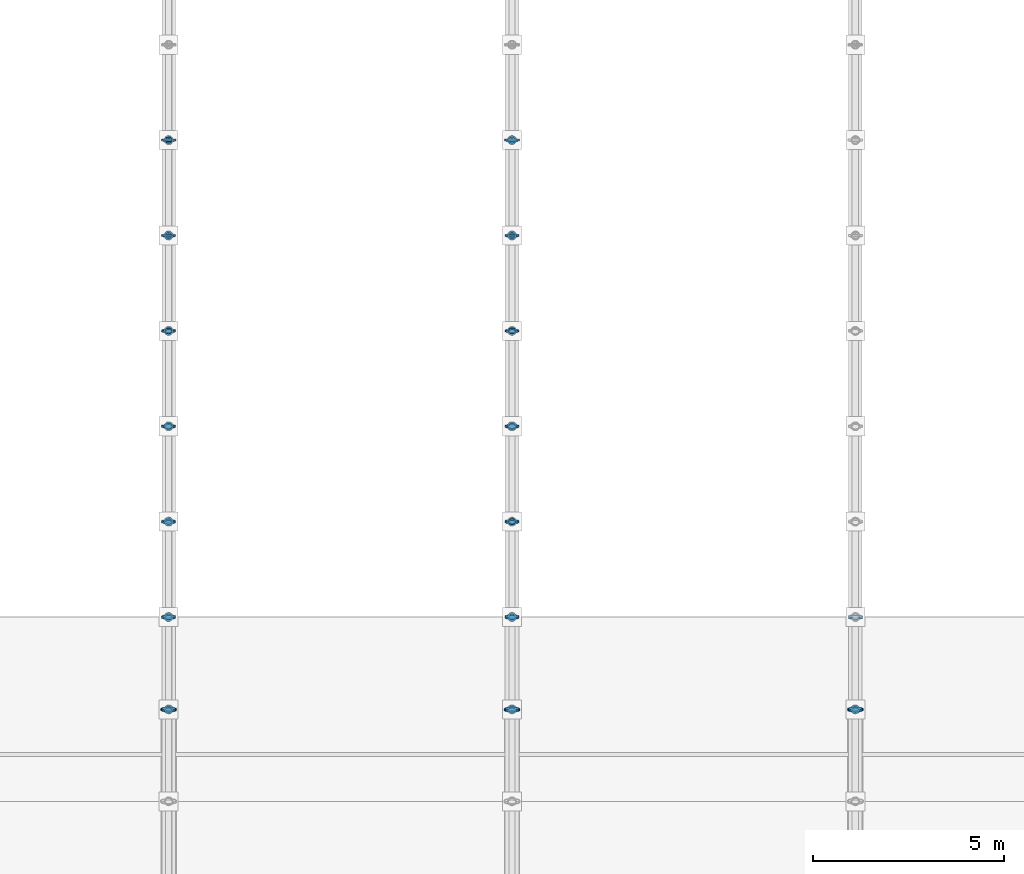
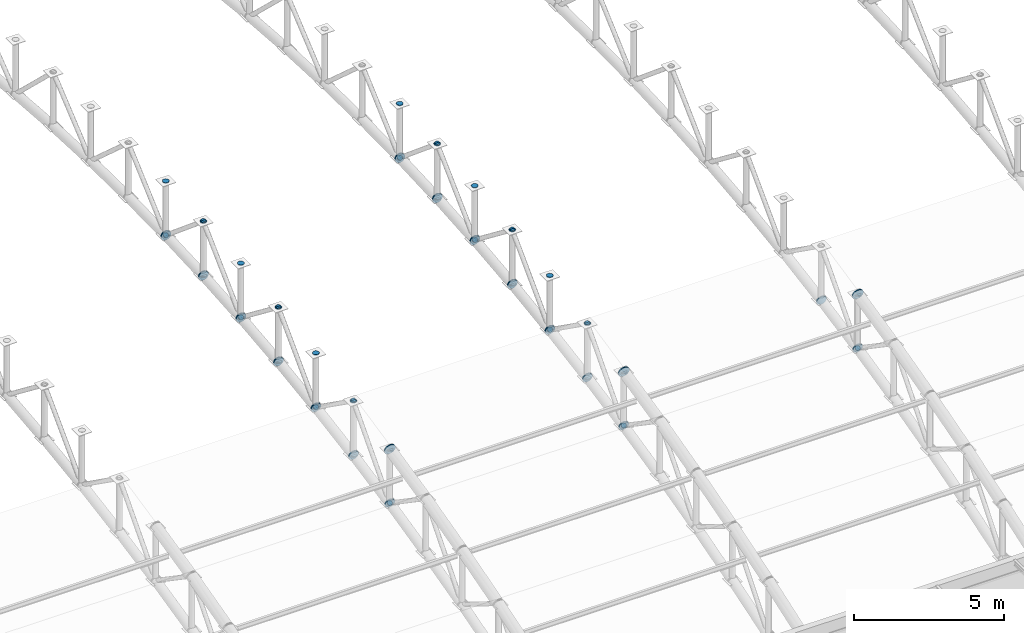
# One storey, part 149 of 195: 94 discrete accessories.
"""IFC4 building model written with IfcOpenShell, lengths in metres."""

from ifc_helpers import new_model, si_unit, direction, frame, origin, origin_2d, place, context, subcontext, project, spatial, circle, extrude, material, element, save


model = new_model("IFC4")

# Units and contexts
model_context = context("Model", 3, precision=1e-05, world=origin(), true_north=direction((0.0, 1.0)))
body_context = subcontext(model_context, "Body", "Model", "MODEL_VIEW")
ifc_project = project(units=[si_unit("LENGTHUNIT", "METRE"), si_unit("AREAUNIT", "SQUARE_METRE"), si_unit("VOLUMEUNIT", "CUBIC_METRE"), si_unit("PLANEANGLEUNIT", "RADIAN"), si_unit("MASSUNIT", "GRAM", prefix="KILO")], contexts=[model_context])

# Site, building, storey
site_placement = place(None, origin())
site = spatial("IfcSite", under=ifc_project, at=site_placement, CompositionType="ELEMENT")
building_placement = place(site_placement, origin())
building = spatial("IfcBuilding", under=site, at=building_placement, Name="Marlcrest Central Station", CompositionType="ELEMENT")
storey_placement = place(building_placement, frame((0.0, 0.0, 9.800048828125)))
storey = spatial("IfcBuildingStorey", under=building, at=storey_placement, Name="L02", CompositionType="ELEMENT", Elevation=9.800048828125)

# Discrete accessories
ifc_material = material(Name="Steel S355", Category="steel")
discrete_accessory_1_placement = place(storey_placement, frame((162.0, 48.5556640625, 5.111328125), z_axis=(0.0, 0.974329612642, 0.225126200004), x_axis=(-1.0, 0.0, 0.0)))
element("IfcDiscreteAccessory", 1, at=discrete_accessory_1_placement, inside=storey, material=ifc_material, Name="endcap-mem-AC-01-L02-01340-e", ObjectType="END_CAP_PLATE", PredefinedType="BRACKET", context=body_context, shape_type="SweptSolid", body=[
    extrude(circle(Radius=0.211181640625, at=origin_2d()), origin(), (0.0, 0.0, 1.0), 0.0400390625),
])
discrete_accessory_2_placement = place(storey_placement, frame((162.0, 48.5556640625, 2.911376953125), z_axis=(0.0, 0.974307959875, 0.225219891049), x_axis=(-1.0, 0.0, 0.0)))
element("IfcDiscreteAccessory", 2, at=discrete_accessory_2_placement, inside=storey, material=ifc_material, Name="endcap-mem-AC-02-L02-01341-e", ObjectType="END_CAP_PLATE", PredefinedType="BRACKET", context=body_context, shape_type="SweptSolid", body=[
    extrude(circle(Radius=0.185791015625, at=origin_2d()), origin(), (0.0, 0.0, 1.0), 0.0400390625),
])
discrete_accessory_3_placement = place(storey_placement, frame((162.0, 48.559326171875, 2.93115234375), z_axis=(0.0, 0.82626275624, -0.563284881432), x_axis=(-1.0, 0.0, 0.0)))
element("IfcDiscreteAccessory", 3, at=discrete_accessory_3_placement, inside=storey, material=ifc_material, Name="endcap-mem-AD-01-L02-01343-e", ObjectType="END_CAP_PLATE", PredefinedType="BRACKET", context=body_context, shape_type="SweptSolid", body=[
    extrude(circle(Radius=0.092041015625, at=origin_2d()), origin(), (0.0, 0.0, 1.0), 0.0400390625),
])
for number, where, z_axis, x_axis, name in (
    (4, (162.0, 48.5654296875, 2.9140625), (0.0, 0.980359417961, 0.197219196874), (-1.0, 0.0, 0.0), "endcap-mem-AC-02-L02-01345-s"),
    (5, (162.0, 50.9755859375, 3.39892578125), (0.0, 0.980359417961, 0.197219196874), (-1.0, 0.0, 0.0), "endcap-mem-AC-02-L02-01345-e"),
):
    element("IfcDiscreteAccessory", number, at=place(storey_placement, frame(where, z_axis=z_axis, x_axis=x_axis)), inside=storey, material=ifc_material, Name=name, ObjectType="END_CAP_PLATE", PredefinedType="BRACKET", context=body_context, shape_type="SweptSolid", body=[
        extrude(circle(Radius=0.185791015625, at=origin_2d()), origin(), (0.0, 0.0, 1.0), 0.0400390625),
    ])
for number, where, z_axis, x_axis, name in (
    (6, (162.0, 48.580078125, 2.902099609375), (0.0, 0.0, 1.0), (1.0, 0.0, 0.0), "endcap-mem-AP-01-L02-01346-s"),
    (7, (162.0, 48.580078125, 5.092041015625), (0.0, 0.0, 1.0), (1.0, 0.0, 0.0), "endcap-mem-AP-01-L02-01346-e"),
):
    element("IfcDiscreteAccessory", number, at=place(storey_placement, frame(where, z_axis=z_axis, x_axis=x_axis)), inside=storey, material=ifc_material, Name=name, ObjectType="END_CAP_PLATE", PredefinedType="BRACKET", context=body_context, shape_type="SweptSolid", body=[
        extrude(circle(Radius=0.117431640625, at=origin_2d()), origin(), (0.0, 0.0, 1.0), 0.0400390625),
    ])
for number, where, z_axis, x_axis, name in (
    (8, (162.0, 48.570068359375, 2.90576171875), (0.0, 0.669244457479, 0.743042297675), (-1.0, 0.0, 0.0), "endcap-mem-AD-01-L02-01347-s"),
    (9, (162.0, 50.983154296875, 5.585205078125), (0.0, 0.669244457479, 0.743042297675), (-1.0, 0.0, 0.0), "endcap-mem-AD-01-L02-01347-e"),
):
    element("IfcDiscreteAccessory", number, at=place(storey_placement, frame(where, z_axis=z_axis, x_axis=x_axis)), inside=storey, material=ifc_material, Name=name, ObjectType="END_CAP_PLATE", PredefinedType="BRACKET", context=body_context, shape_type="SweptSolid", body=[
        extrude(circle(Radius=0.092041015625, at=origin_2d()), origin(), (0.0, 0.0, 1.0), 0.0400390625),
    ])
for number, where, z_axis, x_axis, name in (
    (10, (162.0, 50.985107421875, 3.4013671875), (0.0, 0.98574109921, 0.168269086076), (-1.0, 0.0, 0.0), "endcap-mem-AC-02-L02-01349-s"),
    (11, (162.0, 53.475341796875, 3.826416015625), (0.0, 0.98574109921, 0.168269086076), (-1.0, 0.0, 0.0), "endcap-mem-AC-02-L02-01349-e"),
):
    element("IfcDiscreteAccessory", number, at=place(storey_placement, frame(where, z_axis=z_axis, x_axis=x_axis)), inside=storey, material=ifc_material, Name=name, ObjectType="END_CAP_PLATE", PredefinedType="BRACKET", context=body_context, shape_type="SweptSolid", body=[
        extrude(circle(Radius=0.185791015625, at=origin_2d()), origin(), (0.0, 0.0, 1.0), 0.0400390625),
    ])
for number, where, z_axis, x_axis, name in (
    (12, (162.0, 51.0, 3.388916015625), (0.0, 0.0, 1.0), (1.0, 0.0, 0.0), "endcap-mem-AP-01-L02-01350-s"),
    (13, (162.0, 51.0, 5.578857421875), (0.0, 0.0, 1.0), (1.0, 0.0, 0.0), "endcap-mem-AP-01-L02-01350-e"),
):
    element("IfcDiscreteAccessory", number, at=place(storey_placement, frame(where, z_axis=z_axis, x_axis=x_axis)), inside=storey, material=ifc_material, Name=name, ObjectType="END_CAP_PLATE", PredefinedType="BRACKET", context=body_context, shape_type="SweptSolid", body=[
        extrude(circle(Radius=0.117431640625, at=origin_2d()), origin(), (0.0, 0.0, 1.0), 0.0400390625),
    ])
for number, where, z_axis, x_axis, name in (
    (14, (162.0, 50.98779296875, 5.612548828125), (0.0, 0.815661132754, -0.57852996164), (-1.0, 0.0, 0.0), "endcap-mem-AD-01-L02-01351-s"),
    (15, (162.0, 53.4794921875, 3.844970703125), (0.0, 0.815661132754, -0.57852996164), (-1.0, 0.0, 0.0), "endcap-mem-AD-01-L02-01351-e"),
):
    element("IfcDiscreteAccessory", number, at=place(storey_placement, frame(where, z_axis=z_axis, x_axis=x_axis)), inside=storey, material=ifc_material, Name=name, ObjectType="END_CAP_PLATE", PredefinedType="BRACKET", context=body_context, shape_type="SweptSolid", body=[
        extrude(circle(Radius=0.092041015625, at=origin_2d()), origin(), (0.0, 0.0, 1.0), 0.0400390625),
    ])
for number, where, z_axis, x_axis, name in (
    (16, (162.0, 53.485107421875, 3.82861328125), (0.0, 0.990402740232, 0.138211476152), (-1.0, 0.0, 0.0), "endcap-mem-AC-02-L02-01353-s"),
    (17, (162.0, 55.975341796875, 4.176025390625), (0.0, 0.990402740232, 0.138211476152), (-1.0, 0.0, 0.0), "endcap-mem-AC-02-L02-01353-e"),
):
    element("IfcDiscreteAccessory", number, at=place(storey_placement, frame(where, z_axis=z_axis, x_axis=x_axis)), inside=storey, material=ifc_material, Name=name, ObjectType="END_CAP_PLATE", PredefinedType="BRACKET", context=body_context, shape_type="SweptSolid", body=[
        extrude(circle(Radius=0.185791015625, at=origin_2d()), origin(), (0.0, 0.0, 1.0), 0.0400390625),
    ])
for number, where, z_axis, x_axis, name in (
    (18, (162.0, 53.5, 3.815673828125), (0.0, 0.0, 1.0), (1.0, 0.0, 0.0), "endcap-mem-AP-01-L02-01354-s"),
    (19, (162.0, 53.5, 6.005615234375), (0.0, 0.0, 1.0), (1.0, 0.0, 0.0), "endcap-mem-AP-01-L02-01354-e"),
):
    element("IfcDiscreteAccessory", number, at=place(storey_placement, frame(where, z_axis=z_axis, x_axis=x_axis)), inside=storey, material=ifc_material, Name=name, ObjectType="END_CAP_PLATE", PredefinedType="BRACKET", context=body_context, shape_type="SweptSolid", body=[
        extrude(circle(Radius=0.117431640625, at=origin_2d()), origin(), (0.0, 0.0, 1.0), 0.0400390625),
    ])
for number, where, z_axis, x_axis, name in (
    (20, (162.0, 53.489501953125, 3.81982421875), (0.0, 0.70023547796, 0.713911952139), (-1.0, 0.0, 0.0), "endcap-mem-AD-01-L02-01355-s"),
    (21, (162.0, 55.982421875, 6.361572265625), (0.0, 0.70023547796, 0.713911952139), (-1.0, 0.0, 0.0), "endcap-mem-AD-01-L02-01355-e"),
):
    element("IfcDiscreteAccessory", number, at=place(storey_placement, frame(where, z_axis=z_axis, x_axis=x_axis)), inside=storey, material=ifc_material, Name=name, ObjectType="END_CAP_PLATE", PredefinedType="BRACKET", context=body_context, shape_type="SweptSolid", body=[
        extrude(circle(Radius=0.092041015625, at=origin_2d()), origin(), (0.0, 0.0, 1.0), 0.0400390625),
    ])
for number, where, z_axis, x_axis, name in (
    (22, (162.0, 55.985107421875, 4.177734375), (0.0, 0.994155341034, 0.107959056565), (-1.0, 0.0, 0.0), "endcap-mem-AC-02-L02-01357-s"),
    (23, (162.0, 58.47509765625, 4.4482421875), (0.0, 0.994155341034, 0.107959056565), (-1.0, 0.0, 0.0), "endcap-mem-AC-02-L02-01357-e"),
):
    element("IfcDiscreteAccessory", number, at=place(storey_placement, frame(where, z_axis=z_axis, x_axis=x_axis)), inside=storey, material=ifc_material, Name=name, ObjectType="END_CAP_PLATE", PredefinedType="BRACKET", context=body_context, shape_type="SweptSolid", body=[
        extrude(circle(Radius=0.185791015625, at=origin_2d()), origin(), (0.0, 0.0, 1.0), 0.0400390625),
    ])
for number, where, z_axis, x_axis, name in (
    (24, (162.0, 56.0, 4.16455078125), (0.0, 0.0, 1.0), (1.0, 0.0, 0.0), "endcap-mem-AP-01-L02-01358-s"),
    (25, (162.0, 56.0, 6.3544921875), (0.0, 0.0, 1.0), (1.0, 0.0, 0.0), "endcap-mem-AP-01-L02-01358-e"),
):
    element("IfcDiscreteAccessory", number, at=place(storey_placement, frame(where, z_axis=z_axis, x_axis=x_axis)), inside=storey, material=ifc_material, Name=name, ObjectType="END_CAP_PLATE", PredefinedType="BRACKET", context=body_context, shape_type="SweptSolid", body=[
        extrude(circle(Radius=0.117431640625, at=origin_2d()), origin(), (0.0, 0.0, 1.0), 0.0400390625),
    ])
for number, where, z_axis, x_axis, name in (
    (26, (162.0, 55.988037109375, 6.388671875), (0.0, 0.791798282026, -0.610782678684), (-1.0, 0.0, 0.0), "endcap-mem-AD-01-L02-01359-s"),
    (27, (162.0, 58.480224609375, 4.46630859375), (0.0, 0.791798282026, -0.610782678684), (-1.0, 0.0, 0.0), "endcap-mem-AD-01-L02-01359-e"),
):
    element("IfcDiscreteAccessory", number, at=place(storey_placement, frame(where, z_axis=z_axis, x_axis=x_axis)), inside=storey, material=ifc_material, Name=name, ObjectType="END_CAP_PLATE", PredefinedType="BRACKET", context=body_context, shape_type="SweptSolid", body=[
        extrude(circle(Radius=0.092041015625, at=origin_2d()), origin(), (0.0, 0.0, 1.0), 0.0400390625),
    ])
for number, where, z_axis, x_axis, name in (
    (28, (162.0, 58.485107421875, 4.44970703125), (0.0, 0.997007334767, 0.077307014043), (-1.0, 0.0, 0.0), "endcap-mem-AC-02-L02-01361-s"),
    (29, (162.0, 60.97509765625, 4.642822265625), (0.0, 0.997007334767, 0.077307014043), (-1.0, 0.0, 0.0), "endcap-mem-AC-02-L02-01361-e"),
):
    element("IfcDiscreteAccessory", number, at=place(storey_placement, frame(where, z_axis=z_axis, x_axis=x_axis)), inside=storey, material=ifc_material, Name=name, ObjectType="END_CAP_PLATE", PredefinedType="BRACKET", context=body_context, shape_type="SweptSolid", body=[
        extrude(circle(Radius=0.185791015625, at=origin_2d()), origin(), (0.0, 0.0, 1.0), 0.0400390625),
    ])
for number, where, z_axis, x_axis, name in (
    (30, (162.0, 58.5, 4.43603515625), (0.0, 0.0, 1.0), (1.0, 0.0, 0.0), "endcap-mem-AP-01-L02-01362-s"),
    (31, (162.0, 58.5, 6.6259765625), (0.0, 0.0, 1.0), (1.0, 0.0, 0.0), "endcap-mem-AP-01-L02-01362-e"),
):
    element("IfcDiscreteAccessory", number, at=place(storey_placement, frame(where, z_axis=z_axis, x_axis=x_axis)), inside=storey, material=ifc_material, Name=name, ObjectType="END_CAP_PLATE", PredefinedType="BRACKET", context=body_context, shape_type="SweptSolid", body=[
        extrude(circle(Radius=0.117431640625, at=origin_2d()), origin(), (0.0, 0.0, 1.0), 0.0400390625),
    ])
for number, where, z_axis, x_axis, name in (
    (32, (162.0, 58.4892578125, 4.440673828125), (0.0, 0.722246537655, 0.691635698071), (-1.0, 0.0, 0.0), "endcap-mem-AD-01-L02-01363-s"),
    (33, (162.0, 60.98193359375, 6.82763671875), (0.0, 0.722246537655, 0.691635698071), (-1.0, 0.0, 0.0), "endcap-mem-AD-01-L02-01363-e"),
):
    element("IfcDiscreteAccessory", number, at=place(storey_placement, frame(where, z_axis=z_axis, x_axis=x_axis)), inside=storey, material=ifc_material, Name=name, ObjectType="END_CAP_PLATE", PredefinedType="BRACKET", context=body_context, shape_type="SweptSolid", body=[
        extrude(circle(Radius=0.092041015625, at=origin_2d()), origin(), (0.0, 0.0, 1.0), 0.0400390625),
    ])
for number, where, z_axis, x_axis, name in (
    (34, (162.0, 60.985107421875, 4.64404296875), (0.0, 0.998916819647, 0.046531574509), (-1.0, 0.0, 0.0), "endcap-mem-AC-02-L02-01365-s"),
    (35, (162.0, 63.47509765625, 4.760009765625), (0.0, 0.998916819647, 0.046531574509), (-1.0, 0.0, 0.0), "endcap-mem-AC-02-L02-01365-e"),
):
    element("IfcDiscreteAccessory", number, at=place(storey_placement, frame(where, z_axis=z_axis, x_axis=x_axis)), inside=storey, material=ifc_material, Name=name, ObjectType="END_CAP_PLATE", PredefinedType="BRACKET", context=body_context, shape_type="SweptSolid", body=[
        extrude(circle(Radius=0.185791015625, at=origin_2d()), origin(), (0.0, 0.0, 1.0), 0.0400390625),
    ])
for number, where, z_axis, x_axis, name in (
    (36, (162.0, 61.0, 4.6298828125), (0.0, 0.0, 1.0), (1.0, 0.0, 0.0), "endcap-mem-AP-01-L02-01366-s"),
    (37, (162.0, 61.0, 6.820068359375), (0.0, 0.0, 1.0), (1.0, 0.0, 0.0), "endcap-mem-AP-01-L02-01366-e"),
):
    element("IfcDiscreteAccessory", number, at=place(storey_placement, frame(where, z_axis=z_axis, x_axis=x_axis)), inside=storey, material=ifc_material, Name=name, ObjectType="END_CAP_PLATE", PredefinedType="BRACKET", context=body_context, shape_type="SweptSolid", body=[
        extrude(circle(Radius=0.117431640625, at=origin_2d()), origin(), (0.0, 0.0, 1.0), 0.0400390625),
    ])
for number, where, z_axis, x_axis, name in (
    (38, (162.0, 60.988525390625, 6.8544921875), (0.0, 0.768159787854, -0.640258182552), (-1.0, 0.0, 0.0), "endcap-mem-AD-01-L02-01367-s"),
    (39, (162.0, 63.480712890625, 4.77734375), (0.0, 0.768159787854, -0.640258182552), (-1.0, 0.0, 0.0), "endcap-mem-AD-01-L02-01367-e"),
):
    element("IfcDiscreteAccessory", number, at=place(storey_placement, frame(where, z_axis=z_axis, x_axis=x_axis)), inside=storey, material=ifc_material, Name=name, ObjectType="END_CAP_PLATE", PredefinedType="BRACKET", context=body_context, shape_type="SweptSolid", body=[
        extrude(circle(Radius=0.092041015625, at=origin_2d()), origin(), (0.0, 0.0, 1.0), 0.0400390625),
    ])
discrete_accessory_4_placement = place(storey_placement, frame((162.0, 63.485107421875, 4.760986328125), z_axis=(0.0, 0.999879472592, 0.01552547228), x_axis=(-1.0, 0.0, 0.0)))
element("IfcDiscreteAccessory", 40, at=discrete_accessory_4_placement, inside=storey, material=ifc_material, Name="endcap-mem-AC-02-L02-01369-s", ObjectType="END_CAP_PLATE", PredefinedType="BRACKET", context=body_context, shape_type="SweptSolid", body=[
    extrude(circle(Radius=0.185791015625, at=origin_2d()), origin(), (0.0, 0.0, 1.0), 0.0400390625),
])
for number, where, z_axis, x_axis, name in (
    (41, (162.0, 63.5, 4.746337890625), (0.0, 0.0, 1.0), (1.0, 0.0, 0.0), "endcap-mem-AP-01-L02-01370-s"),
    (42, (162.0, 63.5, 6.936279296875), (0.0, 0.0, 1.0), (1.0, 0.0, 0.0), "endcap-mem-AP-01-L02-01370-e"),
):
    element("IfcDiscreteAccessory", number, at=place(storey_placement, frame(where, z_axis=z_axis, x_axis=x_axis)), inside=storey, material=ifc_material, Name=name, ObjectType="END_CAP_PLATE", PredefinedType="BRACKET", context=body_context, shape_type="SweptSolid", body=[
        extrude(circle(Radius=0.117431640625, at=origin_2d()), origin(), (0.0, 0.0, 1.0), 0.0400390625),
    ])
discrete_accessory_5_placement = place(storey_placement, frame((162.0, 63.48876953125, 4.751220703125), z_axis=(0.0, 0.744955843007, 0.66711377738), x_axis=(-1.0, 0.0, 0.0)))
element("IfcDiscreteAccessory", 43, at=discrete_accessory_5_placement, inside=storey, material=ifc_material, Name="endcap-mem-AD-01-L02-01371-s", ObjectType="END_CAP_PLATE", PredefinedType="BRACKET", context=body_context, shape_type="SweptSolid", body=[
    extrude(circle(Radius=0.092041015625, at=origin_2d()), origin(), (0.0, 0.0, 1.0), 0.0400390625),
])
discrete_accessory_6_placement = place(storey_placement, frame((171.0, 48.5556640625, 5.111328125), z_axis=(0.0, 0.974329612642, 0.225126200004), x_axis=(-1.0, 0.0, 0.0)))
element("IfcDiscreteAccessory", 44, at=discrete_accessory_6_placement, inside=storey, material=ifc_material, Name="endcap-mem-AC-01-L02-01456-e", ObjectType="END_CAP_PLATE", PredefinedType="BRACKET", context=body_context, shape_type="SweptSolid", body=[
    extrude(circle(Radius=0.211181640625, at=origin_2d()), origin(), (0.0, 0.0, 1.0), 0.0400390625),
])
discrete_accessory_7_placement = place(storey_placement, frame((171.0, 48.5556640625, 2.911376953125), z_axis=(0.0, 0.974307959875, 0.225219891049), x_axis=(-1.0, 0.0, 0.0)))
element("IfcDiscreteAccessory", 45, at=discrete_accessory_7_placement, inside=storey, material=ifc_material, Name="endcap-mem-AC-02-L02-01457-e", ObjectType="END_CAP_PLATE", PredefinedType="BRACKET", context=body_context, shape_type="SweptSolid", body=[
    extrude(circle(Radius=0.185791015625, at=origin_2d()), origin(), (0.0, 0.0, 1.0), 0.0400390625),
])
discrete_accessory_8_placement = place(storey_placement, frame((171.0, 48.559326171875, 2.93115234375), z_axis=(0.0, 0.82626275624, -0.563284881432), x_axis=(-1.0, 0.0, 0.0)))
element("IfcDiscreteAccessory", 46, at=discrete_accessory_8_placement, inside=storey, material=ifc_material, Name="endcap-mem-AD-01-L02-01459-e", ObjectType="END_CAP_PLATE", PredefinedType="BRACKET", context=body_context, shape_type="SweptSolid", body=[
    extrude(circle(Radius=0.092041015625, at=origin_2d()), origin(), (0.0, 0.0, 1.0), 0.0400390625),
])
for number, where, z_axis, x_axis, name in (
    (47, (171.0, 48.5654296875, 2.9140625), (0.0, 0.980359417961, 0.197219196874), (-1.0, 0.0, 0.0), "endcap-mem-AC-02-L02-01461-s"),
    (48, (171.0, 50.9755859375, 3.39892578125), (0.0, 0.980359417961, 0.197219196874), (-1.0, 0.0, 0.0), "endcap-mem-AC-02-L02-01461-e"),
):
    element("IfcDiscreteAccessory", number, at=place(storey_placement, frame(where, z_axis=z_axis, x_axis=x_axis)), inside=storey, material=ifc_material, Name=name, ObjectType="END_CAP_PLATE", PredefinedType="BRACKET", context=body_context, shape_type="SweptSolid", body=[
        extrude(circle(Radius=0.185791015625, at=origin_2d()), origin(), (0.0, 0.0, 1.0), 0.0400390625),
    ])
for number, where, z_axis, x_axis, name in (
    (49, (171.0, 48.580078125, 2.902099609375), (0.0, 0.0, 1.0), (1.0, 0.0, 0.0), "endcap-mem-AP-01-L02-01462-s"),
    (50, (171.0, 48.580078125, 5.092041015625), (0.0, 0.0, 1.0), (1.0, 0.0, 0.0), "endcap-mem-AP-01-L02-01462-e"),
):
    element("IfcDiscreteAccessory", number, at=place(storey_placement, frame(where, z_axis=z_axis, x_axis=x_axis)), inside=storey, material=ifc_material, Name=name, ObjectType="END_CAP_PLATE", PredefinedType="BRACKET", context=body_context, shape_type="SweptSolid", body=[
        extrude(circle(Radius=0.117431640625, at=origin_2d()), origin(), (0.0, 0.0, 1.0), 0.0400390625),
    ])
for number, where, z_axis, x_axis, name in (
    (51, (171.0, 48.570068359375, 2.90576171875), (0.0, 0.669244457479, 0.743042297675), (-1.0, 0.0, 0.0), "endcap-mem-AD-01-L02-01463-s"),
    (52, (171.0, 50.983154296875, 5.585205078125), (0.0, 0.669244457479, 0.743042297675), (-1.0, 0.0, 0.0), "endcap-mem-AD-01-L02-01463-e"),
):
    element("IfcDiscreteAccessory", number, at=place(storey_placement, frame(where, z_axis=z_axis, x_axis=x_axis)), inside=storey, material=ifc_material, Name=name, ObjectType="END_CAP_PLATE", PredefinedType="BRACKET", context=body_context, shape_type="SweptSolid", body=[
        extrude(circle(Radius=0.092041015625, at=origin_2d()), origin(), (0.0, 0.0, 1.0), 0.0400390625),
    ])
for number, where, z_axis, x_axis, name in (
    (53, (171.0, 50.985107421875, 3.4013671875), (0.0, 0.98574109921, 0.168269086076), (-1.0, 0.0, 0.0), "endcap-mem-AC-02-L02-01465-s"),
    (54, (171.0, 53.475341796875, 3.826416015625), (0.0, 0.98574109921, 0.168269086076), (-1.0, 0.0, 0.0), "endcap-mem-AC-02-L02-01465-e"),
):
    element("IfcDiscreteAccessory", number, at=place(storey_placement, frame(where, z_axis=z_axis, x_axis=x_axis)), inside=storey, material=ifc_material, Name=name, ObjectType="END_CAP_PLATE", PredefinedType="BRACKET", context=body_context, shape_type="SweptSolid", body=[
        extrude(circle(Radius=0.185791015625, at=origin_2d()), origin(), (0.0, 0.0, 1.0), 0.0400390625),
    ])
for number, where, z_axis, x_axis, name in (
    (55, (171.0, 51.0, 3.388916015625), (0.0, 0.0, 1.0), (1.0, 0.0, 0.0), "endcap-mem-AP-01-L02-01466-s"),
    (56, (171.0, 51.0, 5.578857421875), (0.0, 0.0, 1.0), (1.0, 0.0, 0.0), "endcap-mem-AP-01-L02-01466-e"),
):
    element("IfcDiscreteAccessory", number, at=place(storey_placement, frame(where, z_axis=z_axis, x_axis=x_axis)), inside=storey, material=ifc_material, Name=name, ObjectType="END_CAP_PLATE", PredefinedType="BRACKET", context=body_context, shape_type="SweptSolid", body=[
        extrude(circle(Radius=0.117431640625, at=origin_2d()), origin(), (0.0, 0.0, 1.0), 0.0400390625),
    ])
for number, where, z_axis, x_axis, name in (
    (57, (171.0, 50.98779296875, 5.612548828125), (0.0, 0.815661132754, -0.57852996164), (-1.0, 0.0, 0.0), "endcap-mem-AD-01-L02-01467-s"),
    (58, (171.0, 53.4794921875, 3.844970703125), (0.0, 0.815661132754, -0.57852996164), (-1.0, 0.0, 0.0), "endcap-mem-AD-01-L02-01467-e"),
):
    element("IfcDiscreteAccessory", number, at=place(storey_placement, frame(where, z_axis=z_axis, x_axis=x_axis)), inside=storey, material=ifc_material, Name=name, ObjectType="END_CAP_PLATE", PredefinedType="BRACKET", context=body_context, shape_type="SweptSolid", body=[
        extrude(circle(Radius=0.092041015625, at=origin_2d()), origin(), (0.0, 0.0, 1.0), 0.0400390625),
    ])
for number, where, z_axis, x_axis, name in (
    (59, (171.0, 53.485107421875, 3.82861328125), (0.0, 0.990402740232, 0.138211476152), (-1.0, 0.0, 0.0), "endcap-mem-AC-02-L02-01469-s"),
    (60, (171.0, 55.975341796875, 4.176025390625), (0.0, 0.990402740232, 0.138211476152), (-1.0, 0.0, 0.0), "endcap-mem-AC-02-L02-01469-e"),
):
    element("IfcDiscreteAccessory", number, at=place(storey_placement, frame(where, z_axis=z_axis, x_axis=x_axis)), inside=storey, material=ifc_material, Name=name, ObjectType="END_CAP_PLATE", PredefinedType="BRACKET", context=body_context, shape_type="SweptSolid", body=[
        extrude(circle(Radius=0.185791015625, at=origin_2d()), origin(), (0.0, 0.0, 1.0), 0.0400390625),
    ])
for number, where, z_axis, x_axis, name in (
    (61, (171.0, 53.5, 3.815673828125), (0.0, 0.0, 1.0), (1.0, 0.0, 0.0), "endcap-mem-AP-01-L02-01470-s"),
    (62, (171.0, 53.5, 6.005615234375), (0.0, 0.0, 1.0), (1.0, 0.0, 0.0), "endcap-mem-AP-01-L02-01470-e"),
):
    element("IfcDiscreteAccessory", number, at=place(storey_placement, frame(where, z_axis=z_axis, x_axis=x_axis)), inside=storey, material=ifc_material, Name=name, ObjectType="END_CAP_PLATE", PredefinedType="BRACKET", context=body_context, shape_type="SweptSolid", body=[
        extrude(circle(Radius=0.117431640625, at=origin_2d()), origin(), (0.0, 0.0, 1.0), 0.0400390625),
    ])
for number, where, z_axis, x_axis, name in (
    (63, (171.0, 53.489501953125, 3.81982421875), (0.0, 0.70023547796, 0.713911952139), (-1.0, 0.0, 0.0), "endcap-mem-AD-01-L02-01471-s"),
    (64, (171.0, 55.982421875, 6.361572265625), (0.0, 0.70023547796, 0.713911952139), (-1.0, 0.0, 0.0), "endcap-mem-AD-01-L02-01471-e"),
):
    element("IfcDiscreteAccessory", number, at=place(storey_placement, frame(where, z_axis=z_axis, x_axis=x_axis)), inside=storey, material=ifc_material, Name=name, ObjectType="END_CAP_PLATE", PredefinedType="BRACKET", context=body_context, shape_type="SweptSolid", body=[
        extrude(circle(Radius=0.092041015625, at=origin_2d()), origin(), (0.0, 0.0, 1.0), 0.0400390625),
    ])
for number, where, z_axis, x_axis, name in (
    (65, (171.0, 55.985107421875, 4.177734375), (0.0, 0.994155341034, 0.107959056565), (-1.0, 0.0, 0.0), "endcap-mem-AC-02-L02-01473-s"),
    (66, (171.0, 58.47509765625, 4.4482421875), (0.0, 0.994155341034, 0.107959056565), (-1.0, 0.0, 0.0), "endcap-mem-AC-02-L02-01473-e"),
):
    element("IfcDiscreteAccessory", number, at=place(storey_placement, frame(where, z_axis=z_axis, x_axis=x_axis)), inside=storey, material=ifc_material, Name=name, ObjectType="END_CAP_PLATE", PredefinedType="BRACKET", context=body_context, shape_type="SweptSolid", body=[
        extrude(circle(Radius=0.185791015625, at=origin_2d()), origin(), (0.0, 0.0, 1.0), 0.0400390625),
    ])
for number, where, z_axis, x_axis, name in (
    (67, (171.0, 56.0, 4.16455078125), (0.0, 0.0, 1.0), (1.0, 0.0, 0.0), "endcap-mem-AP-01-L02-01474-s"),
    (68, (171.0, 56.0, 6.3544921875), (0.0, 0.0, 1.0), (1.0, 0.0, 0.0), "endcap-mem-AP-01-L02-01474-e"),
):
    element("IfcDiscreteAccessory", number, at=place(storey_placement, frame(where, z_axis=z_axis, x_axis=x_axis)), inside=storey, material=ifc_material, Name=name, ObjectType="END_CAP_PLATE", PredefinedType="BRACKET", context=body_context, shape_type="SweptSolid", body=[
        extrude(circle(Radius=0.117431640625, at=origin_2d()), origin(), (0.0, 0.0, 1.0), 0.0400390625),
    ])
for number, where, z_axis, x_axis, name in (
    (69, (171.0, 55.988037109375, 6.388671875), (0.0, 0.791798282026, -0.610782678684), (-1.0, 0.0, 0.0), "endcap-mem-AD-01-L02-01475-s"),
    (70, (171.0, 58.480224609375, 4.46630859375), (0.0, 0.791798282026, -0.610782678684), (-1.0, 0.0, 0.0), "endcap-mem-AD-01-L02-01475-e"),
):
    element("IfcDiscreteAccessory", number, at=place(storey_placement, frame(where, z_axis=z_axis, x_axis=x_axis)), inside=storey, material=ifc_material, Name=name, ObjectType="END_CAP_PLATE", PredefinedType="BRACKET", context=body_context, shape_type="SweptSolid", body=[
        extrude(circle(Radius=0.092041015625, at=origin_2d()), origin(), (0.0, 0.0, 1.0), 0.0400390625),
    ])
for number, where, z_axis, x_axis, name in (
    (71, (171.0, 58.485107421875, 4.44970703125), (0.0, 0.997007334767, 0.077307014043), (-1.0, 0.0, 0.0), "endcap-mem-AC-02-L02-01477-s"),
    (72, (171.0, 60.97509765625, 4.642822265625), (0.0, 0.997007334767, 0.077307014043), (-1.0, 0.0, 0.0), "endcap-mem-AC-02-L02-01477-e"),
):
    element("IfcDiscreteAccessory", number, at=place(storey_placement, frame(where, z_axis=z_axis, x_axis=x_axis)), inside=storey, material=ifc_material, Name=name, ObjectType="END_CAP_PLATE", PredefinedType="BRACKET", context=body_context, shape_type="SweptSolid", body=[
        extrude(circle(Radius=0.185791015625, at=origin_2d()), origin(), (0.0, 0.0, 1.0), 0.0400390625),
    ])
for number, where, z_axis, x_axis, name in (
    (73, (171.0, 58.5, 4.43603515625), (0.0, 0.0, 1.0), (1.0, 0.0, 0.0), "endcap-mem-AP-01-L02-01478-s"),
    (74, (171.0, 58.5, 6.6259765625), (0.0, 0.0, 1.0), (1.0, 0.0, 0.0), "endcap-mem-AP-01-L02-01478-e"),
):
    element("IfcDiscreteAccessory", number, at=place(storey_placement, frame(where, z_axis=z_axis, x_axis=x_axis)), inside=storey, material=ifc_material, Name=name, ObjectType="END_CAP_PLATE", PredefinedType="BRACKET", context=body_context, shape_type="SweptSolid", body=[
        extrude(circle(Radius=0.117431640625, at=origin_2d()), origin(), (0.0, 0.0, 1.0), 0.0400390625),
    ])
for number, where, z_axis, x_axis, name in (
    (75, (171.0, 58.4892578125, 4.440673828125), (0.0, 0.722246537655, 0.691635698071), (-1.0, 0.0, 0.0), "endcap-mem-AD-01-L02-01479-s"),
    (76, (171.0, 60.98193359375, 6.82763671875), (0.0, 0.722246537655, 0.691635698071), (-1.0, 0.0, 0.0), "endcap-mem-AD-01-L02-01479-e"),
):
    element("IfcDiscreteAccessory", number, at=place(storey_placement, frame(where, z_axis=z_axis, x_axis=x_axis)), inside=storey, material=ifc_material, Name=name, ObjectType="END_CAP_PLATE", PredefinedType="BRACKET", context=body_context, shape_type="SweptSolid", body=[
        extrude(circle(Radius=0.092041015625, at=origin_2d()), origin(), (0.0, 0.0, 1.0), 0.0400390625),
    ])
for number, where, z_axis, x_axis, name in (
    (77, (171.0, 60.985107421875, 4.64404296875), (0.0, 0.998916819647, 0.046531574509), (-1.0, 0.0, 0.0), "endcap-mem-AC-02-L02-01481-s"),
    (78, (171.0, 63.47509765625, 4.760009765625), (0.0, 0.998916819647, 0.046531574509), (-1.0, 0.0, 0.0), "endcap-mem-AC-02-L02-01481-e"),
):
    element("IfcDiscreteAccessory", number, at=place(storey_placement, frame(where, z_axis=z_axis, x_axis=x_axis)), inside=storey, material=ifc_material, Name=name, ObjectType="END_CAP_PLATE", PredefinedType="BRACKET", context=body_context, shape_type="SweptSolid", body=[
        extrude(circle(Radius=0.185791015625, at=origin_2d()), origin(), (0.0, 0.0, 1.0), 0.0400390625),
    ])
for number, where, z_axis, x_axis, name in (
    (79, (171.0, 61.0, 4.6298828125), (0.0, 0.0, 1.0), (1.0, 0.0, 0.0), "endcap-mem-AP-01-L02-01482-s"),
    (80, (171.0, 61.0, 6.820068359375), (0.0, 0.0, 1.0), (1.0, 0.0, 0.0), "endcap-mem-AP-01-L02-01482-e"),
):
    element("IfcDiscreteAccessory", number, at=place(storey_placement, frame(where, z_axis=z_axis, x_axis=x_axis)), inside=storey, material=ifc_material, Name=name, ObjectType="END_CAP_PLATE", PredefinedType="BRACKET", context=body_context, shape_type="SweptSolid", body=[
        extrude(circle(Radius=0.117431640625, at=origin_2d()), origin(), (0.0, 0.0, 1.0), 0.0400390625),
    ])
for number, where, z_axis, x_axis, name in (
    (81, (171.0, 60.988525390625, 6.8544921875), (0.0, 0.768159787854, -0.640258182552), (-1.0, 0.0, 0.0), "endcap-mem-AD-01-L02-01483-s"),
    (82, (171.0, 63.480712890625, 4.77734375), (0.0, 0.768159787854, -0.640258182552), (-1.0, 0.0, 0.0), "endcap-mem-AD-01-L02-01483-e"),
):
    element("IfcDiscreteAccessory", number, at=place(storey_placement, frame(where, z_axis=z_axis, x_axis=x_axis)), inside=storey, material=ifc_material, Name=name, ObjectType="END_CAP_PLATE", PredefinedType="BRACKET", context=body_context, shape_type="SweptSolid", body=[
        extrude(circle(Radius=0.092041015625, at=origin_2d()), origin(), (0.0, 0.0, 1.0), 0.0400390625),
    ])
discrete_accessory_9_placement = place(storey_placement, frame((171.0, 63.485107421875, 4.760986328125), z_axis=(0.0, 0.999879472592, 0.01552547228), x_axis=(-1.0, 0.0, 0.0)))
element("IfcDiscreteAccessory", 83, at=discrete_accessory_9_placement, inside=storey, material=ifc_material, Name="endcap-mem-AC-02-L02-01485-s", ObjectType="END_CAP_PLATE", PredefinedType="BRACKET", context=body_context, shape_type="SweptSolid", body=[
    extrude(circle(Radius=0.185791015625, at=origin_2d()), origin(), (0.0, 0.0, 1.0), 0.0400390625),
])
for number, where, z_axis, x_axis, name in (
    (84, (171.0, 63.5, 4.746337890625), (0.0, 0.0, 1.0), (1.0, 0.0, 0.0), "endcap-mem-AP-01-L02-01486-s"),
    (85, (171.0, 63.5, 6.936279296875), (0.0, 0.0, 1.0), (1.0, 0.0, 0.0), "endcap-mem-AP-01-L02-01486-e"),
):
    element("IfcDiscreteAccessory", number, at=place(storey_placement, frame(where, z_axis=z_axis, x_axis=x_axis)), inside=storey, material=ifc_material, Name=name, ObjectType="END_CAP_PLATE", PredefinedType="BRACKET", context=body_context, shape_type="SweptSolid", body=[
        extrude(circle(Radius=0.117431640625, at=origin_2d()), origin(), (0.0, 0.0, 1.0), 0.0400390625),
    ])
discrete_accessory_10_placement = place(storey_placement, frame((171.0, 63.48876953125, 4.751220703125), z_axis=(0.0, 0.744955843007, 0.66711377738), x_axis=(-1.0, 0.0, 0.0)))
element("IfcDiscreteAccessory", 86, at=discrete_accessory_10_placement, inside=storey, material=ifc_material, Name="endcap-mem-AD-01-L02-01487-s", ObjectType="END_CAP_PLATE", PredefinedType="BRACKET", context=body_context, shape_type="SweptSolid", body=[
    extrude(circle(Radius=0.092041015625, at=origin_2d()), origin(), (0.0, 0.0, 1.0), 0.0400390625),
])
discrete_accessory_11_placement = place(storey_placement, frame((180.0, 48.5556640625, 5.111328125), z_axis=(0.0, 0.974329612642, 0.225126200004), x_axis=(-1.0, 0.0, 0.0)))
element("IfcDiscreteAccessory", 87, at=discrete_accessory_11_placement, inside=storey, material=ifc_material, Name="endcap-mem-AC-01-L02-01572-e", ObjectType="END_CAP_PLATE", PredefinedType="BRACKET", context=body_context, shape_type="SweptSolid", body=[
    extrude(circle(Radius=0.211181640625, at=origin_2d()), origin(), (0.0, 0.0, 1.0), 0.0400390625),
])
discrete_accessory_12_placement = place(storey_placement, frame((180.0, 48.5556640625, 2.911376953125), z_axis=(0.0, 0.974307959875, 0.225219891049), x_axis=(-1.0, 0.0, 0.0)))
element("IfcDiscreteAccessory", 88, at=discrete_accessory_12_placement, inside=storey, material=ifc_material, Name="endcap-mem-AC-02-L02-01573-e", ObjectType="END_CAP_PLATE", PredefinedType="BRACKET", context=body_context, shape_type="SweptSolid", body=[
    extrude(circle(Radius=0.185791015625, at=origin_2d()), origin(), (0.0, 0.0, 1.0), 0.0400390625),
])
discrete_accessory_13_placement = place(storey_placement, frame((180.0, 48.559326171875, 2.93115234375), z_axis=(0.0, 0.82626275624, -0.563284881432), x_axis=(-1.0, 0.0, 0.0)))
element("IfcDiscreteAccessory", 89, at=discrete_accessory_13_placement, inside=storey, material=ifc_material, Name="endcap-mem-AD-01-L02-01575-e", ObjectType="END_CAP_PLATE", PredefinedType="BRACKET", context=body_context, shape_type="SweptSolid", body=[
    extrude(circle(Radius=0.092041015625, at=origin_2d()), origin(), (0.0, 0.0, 1.0), 0.0400390625),
])
for number, where, z_axis, x_axis, name in (
    (90, (180.0, 48.5654296875, 2.9140625), (0.0, 0.980359417961, 0.197219196874), (-1.0, 0.0, 0.0), "endcap-mem-AC-02-L02-01577-s"),
    (91, (180.0, 50.9755859375, 3.39892578125), (0.0, 0.980359417961, 0.197219196874), (-1.0, 0.0, 0.0), "endcap-mem-AC-02-L02-01577-e"),
):
    element("IfcDiscreteAccessory", number, at=place(storey_placement, frame(where, z_axis=z_axis, x_axis=x_axis)), inside=storey, material=ifc_material, Name=name, ObjectType="END_CAP_PLATE", PredefinedType="BRACKET", context=body_context, shape_type="SweptSolid", body=[
        extrude(circle(Radius=0.185791015625, at=origin_2d()), origin(), (0.0, 0.0, 1.0), 0.0400390625),
    ])
for number, where, z_axis, x_axis, name in (
    (92, (180.0, 48.580078125, 2.902099609375), (0.0, 0.0, 1.0), (1.0, 0.0, 0.0), "endcap-mem-AP-01-L02-01578-s"),
    (93, (180.0, 48.580078125, 5.092041015625), (0.0, 0.0, 1.0), (1.0, 0.0, 0.0), "endcap-mem-AP-01-L02-01578-e"),
):
    element("IfcDiscreteAccessory", number, at=place(storey_placement, frame(where, z_axis=z_axis, x_axis=x_axis)), inside=storey, material=ifc_material, Name=name, ObjectType="END_CAP_PLATE", PredefinedType="BRACKET", context=body_context, shape_type="SweptSolid", body=[
        extrude(circle(Radius=0.117431640625, at=origin_2d()), origin(), (0.0, 0.0, 1.0), 0.0400390625),
    ])
discrete_accessory_14_placement = place(storey_placement, frame((180.0, 48.570068359375, 2.90576171875), z_axis=(0.0, 0.669244457479, 0.743042297675), x_axis=(-1.0, 0.0, 0.0)))
element("IfcDiscreteAccessory", 94, at=discrete_accessory_14_placement, inside=storey, material=ifc_material, Name="endcap-mem-AD-01-L02-01579-s", ObjectType="END_CAP_PLATE", PredefinedType="BRACKET", context=body_context, shape_type="SweptSolid", body=[
    extrude(circle(Radius=0.092041015625, at=origin_2d()), origin(), (0.0, 0.0, 1.0), 0.0400390625),
])

save(model, "model.ifc")
